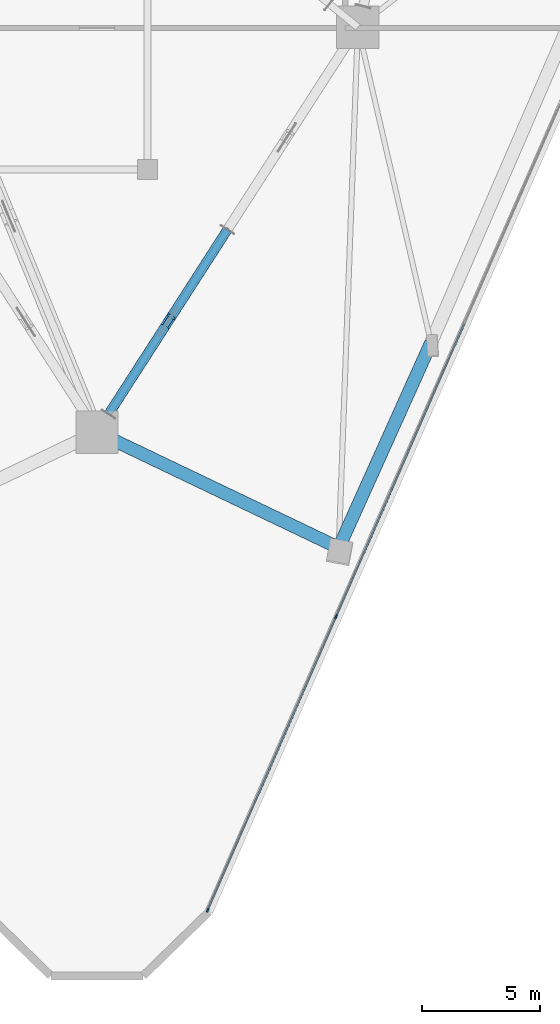
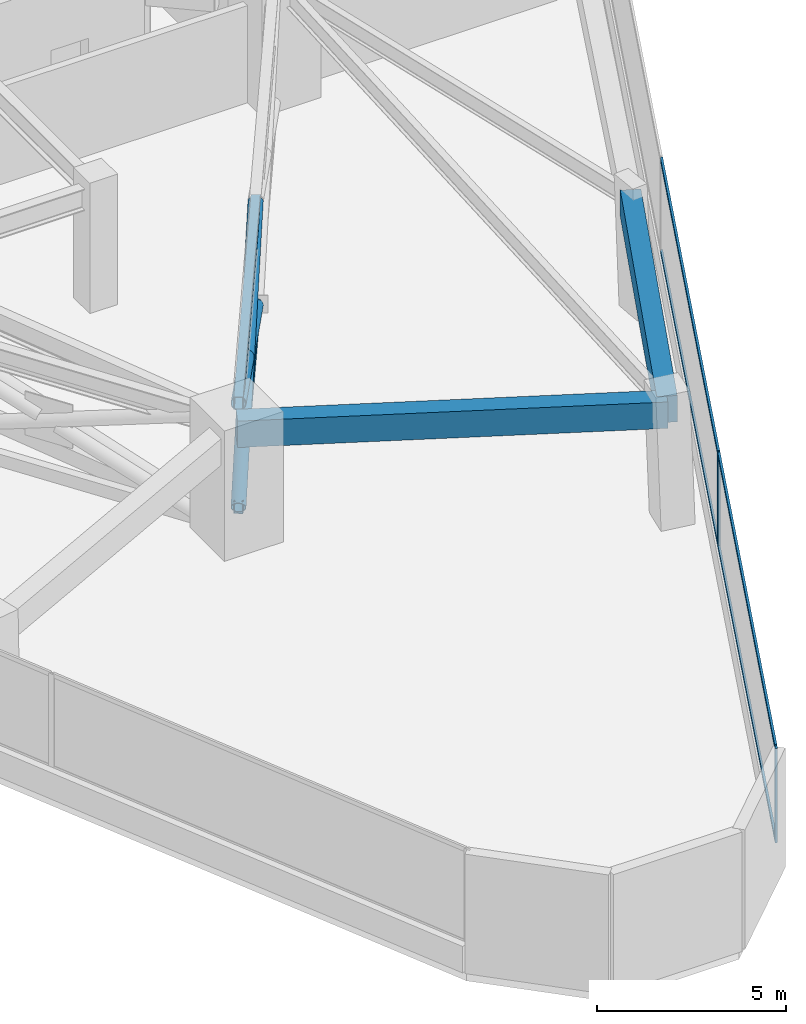
# One storey, part 4 of 20: 11 members, 2 beams, 1 element without a shape of its own.
"""IFC4 building model written with IfcOpenShell, lengths in metres."""

from ifc_helpers import new_model, si_unit, direction, frame, origin, origin_2d, place, context, subcontext, project, spatial, rectangle, hollow_rectangle, hollow_circle, extrude, material, layer, layer_set, material_profile, profile_set, type_object, element, aggregate, save


model = new_model("IFC4")

# Units and contexts
model_context = context("Model", 3, precision=1e-05, world=origin(), true_north=direction((0.0, 1.0)))
body_context = subcontext(model_context, "Body", "Model", "MODEL_VIEW")
ifc_project = project(units=[si_unit("LENGTHUNIT", "METRE"), si_unit("AREAUNIT", "SQUARE_METRE"), si_unit("VOLUMEUNIT", "CUBIC_METRE"), si_unit("PLANEANGLEUNIT", "RADIAN"), si_unit("MASSUNIT", "GRAM", prefix="KILO")], contexts=[model_context])

# Site, building, storey
site_placement = place(None, origin())
site = spatial("IfcSite", under=ifc_project, at=site_placement, CompositionType="ELEMENT")
building_placement = place(site_placement, origin())
building = spatial("IfcBuilding", under=site, at=building_placement, Name="Talyreon Biosciences Tower", CompositionType="ELEMENT")
storey_placement = place(building_placement, frame((0.0, 0.0, 66.60009765625)))
storey = spatial("IfcBuildingStorey", under=building, at=storey_placement, Name="L17", CompositionType="ELEMENT", Elevation=66.60009765625)

# Members
ifc_material_1 = material(Name="Steel SM355", Category="steel")
ifc_material_profile_1 = material_profile(ifc_material_1, hollow_circle(Radius=0.203125, WallThickness=0.01611328125, at=origin_2d()), Name="CHS 406.4x16")
ifc_profile_set_1 = profile_set([ifc_material_profile_1], Name="Steel SM355")
member_type_1 = type_object("IfcMemberType", Name="BeltBrace_CHS406", PredefinedType="BRACE", material=ifc_profile_set_1)
member_1_placement = place(storey_placement, frame((66.49267578125, 42.431884765625, 0.239990234375), z_axis=(0.509427105726, 0.790970108566, 0.338895723353), x_axis=(-0.840720642586, 0.541469113735, 0.0)))
element("IfcMember", 1, at=member_1_placement, inside=storey, type_object=member_type_1, Name="L17 Continuous Diagonal BELT-L17-B1S1A", PredefinedType="BRACE", context=body_context, shape_type="SweptSolid", body=[
    extrude(hollow_circle(Radius=0.203125, WallThickness=0.01611328125, at=origin_2d()), origin(), (0.0, 0.0, 1.0), 9.9140625),
])
for number, where, z_axis, x_axis, name in (
    (2, (71.543212890625, 50.273681640625, 0.239990234375), (-0.5094770375, -0.790942220513, 0.338885750763), (0.840687790576, -0.541520118534, 0.0), "L17 Split Diagonal BELT-L17-B1S1B-Lower"),
    (3, (68.875244140625, 46.13134765625, 2.014892578125), (-0.509417350971, -0.790982797343, 0.338880770828), (0.840729316536, -0.541455645752, 0.0), "L17 Split Diagonal BELT-L17-B1S1B-Upper"),
):
    element("IfcMember", number, at=place(storey_placement, frame(where, z_axis=z_axis, x_axis=x_axis)), inside=storey, type_object=member_type_1, Name=name, PredefinedType="BRACE", context=body_context, shape_type="SweptSolid", body=[
        extrude(hollow_circle(Radius=0.203125, WallThickness=0.01611328125, at=origin_2d()), origin(), (0.0, 0.0, 1.0), 4.677001953125),
    ])
ifc_material_profile_2 = material_profile(ifc_material_1, hollow_rectangle(XDim=0.25, YDim=0.39990234375, WallThickness=0.01611328125, at=origin_2d()), Name="RHS 400x250x16")
ifc_profile_set_2 = profile_set([ifc_material_profile_2], Name="Steel SM355")
member_type_2 = type_object("IfcMemberType", Name="BeltChord_RHS400x250", PredefinedType="CHORD", material=ifc_profile_set_2)
for number, where, z_axis, x_axis, name in (
    (4, (66.49267578125, 42.431884765625, 0.239990234375), (0.541469113735, 0.840720642586, 0.0), (-0.840720642586, 0.541469113735, 0.0), "L17 Truss Bottom Chord BELT-L17-B1S1"),
    (5, (66.49267578125, 42.431884765625, 3.599853515625), (0.541469113735, 0.840720642586, 0.0), (-0.840720642586, 0.541469113735, 0.0), "L17 Truss Top Chord BELT-L17-B1S1"),
):
    element("IfcMember", number, at=place(storey_placement, frame(where, z_axis=z_axis, x_axis=x_axis)), inside=storey, type_object=member_type_2, Name=name, PredefinedType="CHORD", context=body_context, shape_type="SweptSolid", body=[
        extrude(hollow_rectangle(XDim=0.25, YDim=0.39990234375, WallThickness=0.01611328125, at=origin_2d()), origin(), (0.0, 0.0, 1.0), 9.327392578125),
    ])

# Curtain wall, members
ifc_material_2 = material(Name="Thermally broken aluminium and low-E glazing", Category="aluminium")
ifc_layer = layer(ifc_material_2, 0.195068359375)
ifc_layer_set = layer_set([ifc_layer], Name="Thermally broken aluminium and low-E glazing")
curtain_wall_type = type_object("IfcCurtainWallType", Name="CurtainWall_Zone1WetLab", PredefinedType="NOTDEFINED", material=ifc_layer_set)
curtain_wall_placement = place(storey_placement, origin())
curtain_wall = element("IfcCurtainWall", 6, at=curtain_wall_placement, inside=storey, type_object=curtain_wall_type, Name="L17 Unitised Curtain Wall FCW-L17-08", PredefinedType="NOTDEFINED")
ifc_material_3 = material(Name="Anodised thermally broken aluminium", Category="aluminium")
ifc_material_profile_3 = material_profile(ifc_material_3, rectangle(XDim=0.06494140625, YDim=0.179931640625, at=origin_2d()), Name="ALUM MULLION 65x180")
ifc_profile_set_3 = profile_set([ifc_material_profile_3], Name="Anodised thermally broken aluminium")
member_type_3 = type_object("IfcMemberType", Name="CWMullion_65x180", PredefinedType="MULLION", material=ifc_profile_set_3)
member_2_placement = place(storey_placement, frame((76.16064453125, 33.8251953125, 0.809814453125), z_axis=(0.0, 0.0, 1.0), x_axis=(0.916151953082, -0.400831135099, 0.0)))
member_2 = element("IfcMember", 7, at=member_2_placement, type_object=member_type_3, Name="CW2 mullion 5", PredefinedType="MULLION", context=body_context, shape_type="SweptSolid", body=[
    extrude(rectangle(XDim=0.06494140625, YDim=0.179931640625, at=origin_2d()), origin(), (0.0, 0.0, 1.0), 3.0400390625),
])
member_3_placement = place(storey_placement, frame((70.70361328125, 21.3525390625, 0.809814453125), z_axis=(0.0, 0.0, 1.0), x_axis=(0.916151953082, -0.400831135099, 0.0)))
member_3 = element("IfcMember", 8, at=member_3_placement, type_object=member_type_3, Name="CW2 mullion 6", PredefinedType="MULLION", context=body_context, shape_type="SweptSolid", body=[
    extrude(rectangle(XDim=0.06494140625, YDim=0.179931640625, at=origin_2d()), origin(), (0.0, 0.0, 1.0), 3.0400390625),
])
ifc_material_profile_4 = material_profile(ifc_material_3, rectangle(XDim=0.06494140625, YDim=0.139892578125, at=origin_2d()), Name="ALUM TRANSOM 65x140")
ifc_profile_set_4 = profile_set([ifc_material_profile_4], Name="Anodised thermally broken aluminium")
member_type_4 = type_object("IfcMemberType", Name="CWTransom_65x140", PredefinedType="USERDEFINED", material=ifc_profile_set_4)
member_4_placement = place(storey_placement, frame((81.61767578125, 46.2978515625, 0.84228515625), z_axis=(-0.40082449197, -0.916154859528, 0.0), x_axis=(0.916154859528, -0.40082449197, 0.0)))
member_4 = element("IfcMember", 9, at=member_4_placement, type_object=member_type_4, Name="CW2 transom 4.1", ObjectType="TRANSOM", PredefinedType="USERDEFINED", context=body_context, shape_type="SweptSolid", body=[
    extrude(rectangle(XDim=0.06494140625, YDim=0.139892578125, at=origin_2d()), origin(), (0.0, 0.0, 1.0), 13.58154296875),
])
member_5_placement = place(storey_placement, frame((81.61767578125, 46.2978515625, 3.8173828125), z_axis=(-0.40082449197, -0.916154859528, 0.0), x_axis=(0.916154859528, -0.40082449197, 0.0)))
member_5 = element("IfcMember", 10, at=member_5_placement, type_object=member_type_4, Name="CW2 transom 4.2", ObjectType="TRANSOM", PredefinedType="USERDEFINED", context=body_context, shape_type="SweptSolid", body=[
    extrude(rectangle(XDim=0.06494140625, YDim=0.139892578125, at=origin_2d()), origin(), (0.0, 0.0, 1.0), 13.58154296875),
])
member_6_placement = place(storey_placement, frame((76.147705078125, 33.79541015625, 0.84228515625), z_axis=(-0.400830177027, -0.916152372253, 0.0), x_axis=(0.916152372253, -0.400830177027, 0.0)))
member_6 = element("IfcMember", 11, at=member_6_placement, type_object=member_type_4, Name="CW2 transom 5.1", ObjectType="TRANSOM", PredefinedType="USERDEFINED", context=body_context, shape_type="SweptSolid", body=[
    extrude(rectangle(XDim=0.06494140625, YDim=0.139892578125, at=origin_2d()), origin(), (0.0, 0.0, 1.0), 13.549072265625),
])
member_7_placement = place(storey_placement, frame((76.147705078125, 33.79541015625, 3.8173828125), z_axis=(-0.400830177027, -0.916152372253, 0.0), x_axis=(0.916152372253, -0.400830177027, 0.0)))
member_7 = element("IfcMember", 12, at=member_7_placement, type_object=member_type_4, Name="CW2 transom 5.2", ObjectType="TRANSOM", PredefinedType="USERDEFINED", context=body_context, shape_type="SweptSolid", body=[
    extrude(rectangle(XDim=0.06494140625, YDim=0.139892578125, at=origin_2d()), origin(), (0.0, 0.0, 1.0), 13.549072265625),
])
aggregate(curtain_wall, [member_2, member_3, member_4, member_5, member_6, member_7])

# Beams
ifc_material_4 = material(Name="Precast concrete C45/55", Category="concrete")
ifc_material_profile_5 = material_profile(ifc_material_4, rectangle(XDim=0.550048828125, YDim=0.85009765625, at=origin_2d()), Name="RCB 550x850")
ifc_profile_set_5 = profile_set([ifc_material_profile_5], Name="Precast concrete C45/55")
beam_type = type_object("IfcBeamType", Name="ExpressedSpandrel_550x850", PredefinedType="SPANDREL", material=ifc_profile_set_5)
beam_1_placement = place(storey_placement, frame((66.0, 41.6669921875, 3.4248046875), z_axis=(0.902185369014, -0.431348536497, 0.0), x_axis=(0.431348536497, 0.902185369014, 0.0)))
element("IfcBeam", 13, at=beam_1_placement, inside=storey, type_object=beam_type, Name="L17 Expressed Horizontal Concrete Spandrel 01", PredefinedType="SPANDREL", context=body_context, shape_type="SweptSolid", body=[
    extrude(rectangle(XDim=0.550048828125, YDim=0.85009765625, at=origin_2d()), origin(), (0.0, 0.0, 1.0), 11.388427734375),
])
beam_2_placement = place(storey_placement, frame((76.2744140625, 36.754638671875, 3.4248046875), z_axis=(0.410399743123, 0.911905724757, 0.0), x_axis=(-0.911905724757, 0.410399743123, 0.0)))
element("IfcBeam", 14, at=beam_2_placement, inside=storey, type_object=beam_type, Name="L17 Expressed Horizontal Concrete Spandrel 02", PredefinedType="SPANDREL", context=body_context, shape_type="SweptSolid", body=[
    extrude(rectangle(XDim=0.550048828125, YDim=0.85009765625, at=origin_2d()), origin(), (0.0, 0.0, 1.0), 9.55322265625),
])

save(model, "model.ifc")
